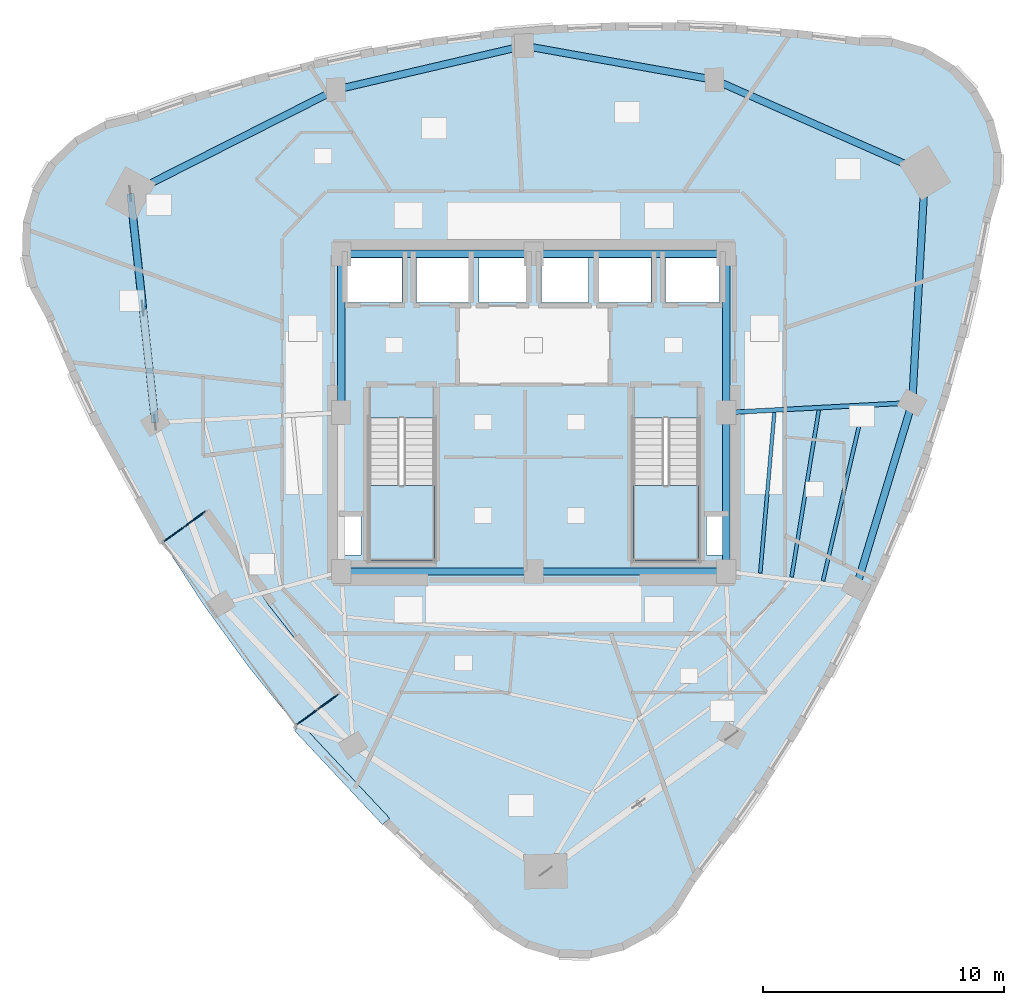
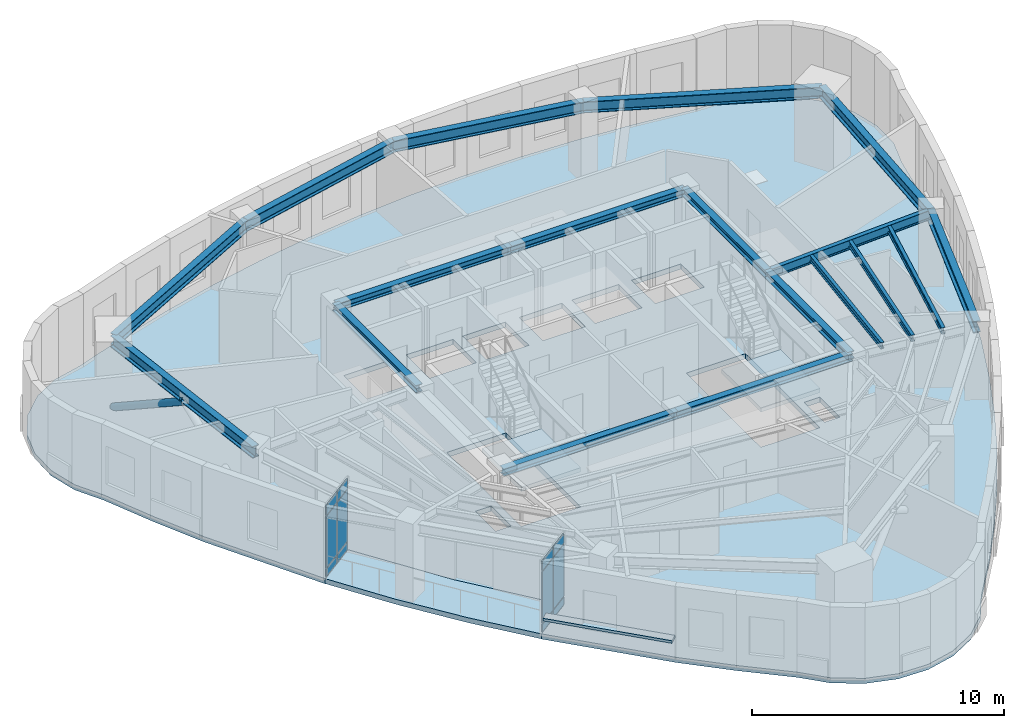
# One storey, part 5 of 13: 18 beams, 13 plates, 4 slabs, 1 member, 4 elements without a shape of their own.
"""IFC4 building model written with IfcOpenShell, lengths in metres."""

import ifcopenshell
import ifcopenshell.guid

model = None  # the IFC model being written
_history = None  # IfcOwnerHistory: only IFC2X3 demands one
_inside = {}  # id of a spatial element -> (the spatial element, [elements in it])
_under = {}  # id of a project, library or spatial element -> (it, [spatial elements below it])
_declared = {}  # id of a project -> (the project, [libraries it declares])
_typed = {}  # id of a type object -> (the type object, [elements of that type])
_made_of = {}  # id of a material, layer set ... -> (it, [elements and type objects made of it])


def new_model(schema):
    """Start an empty IFC model of exactly this schema.

    Asked for "IFC4X3", IfcOpenShell would pick the latest addendum, in which some entities
    have other attributes; the version numbers below select the first issue.
    IFC2X3 requires an IfcOwnerHistory on every rooted entity: one is made here for all.
    """
    global model, _history
    if schema == "IFC4X3":
        model = ifcopenshell.file(schema_version=(4, 3, 0, 0))
    else:
        model = ifcopenshell.file(schema=schema)
    _inside.clear()
    _under.clear()
    _declared.clear()
    _typed.clear()
    _made_of.clear()
    _history = None
    if model.schema == "IFC2X3":
        org = make("IfcOrganization", Name="unknown")
        user = make(
            "IfcPersonAndOrganization",
            ThePerson=make("IfcPerson", FamilyName="unknown"),
            TheOrganization=org,
        )
        app = make(
            "IfcApplication",
            ApplicationDeveloper=org,
            Version="unknown",
            ApplicationFullName="unknown",
            ApplicationIdentifier="unknown",
        )
        _history = make(
            "IfcOwnerHistory",
            OwningUser=user,
            OwningApplication=app,
            ChangeAction="ADDED",
            CreationDate=0,
        )
    return model


def make(cls, **values):
    """One entity of the class cls with the attributes given. An attribute that is None is left unset."""
    return model.create_entity(
        cls, **{name: value for name, value in values.items() if value is not None}
    )


def rooted(cls, **values):
    """An entity with a GlobalId (a new one), such as an element, a storey or a relation."""
    return make(cls, GlobalId=ifcopenshell.guid.new(), OwnerHistory=_history, **values)


def si_unit(unit_type, name, prefix=None):
    """IfcSIUnit, for example si_unit("LENGTHUNIT", "METRE", prefix="MILLI")."""
    return make("IfcSIUnit", UnitType=unit_type, Prefix=prefix, Name=name)


def assignment(units):
    """IfcUnitAssignment: the units of a project."""
    return None if units is None else make("IfcUnitAssignment", Units=units)


def point(xyz):
    """IfcCartesianPoint."""
    return None if xyz is None else make("IfcCartesianPoint", Coordinates=xyz)


def direction(xyz):
    """IfcDirection."""
    return None if xyz is None else make("IfcDirection", DirectionRatios=xyz)


def frame(location, z_axis=None, x_axis=None):
    """IfcAxis2Placement3D, a coordinate frame: its origin and axes. An axis left out is left unset."""
    return make(
        "IfcAxis2Placement3D",
        Location=point(location),
        Axis=direction(z_axis),
        RefDirection=direction(x_axis),
    )


def frame_2d(location, x_axis=None):
    """IfcAxis2Placement2D, a coordinate frame in the plane: its origin and x axis."""
    return make(
        "IfcAxis2Placement2D", Location=point(location), RefDirection=direction(x_axis)
    )


def origin():
    """The frame at (0, 0, 0) with its axes left unset."""
    return frame((0.0, 0.0, 0.0))


def origin_2d():
    """The frame at (0, 0) in the plane with its x axis left unset."""
    return frame_2d((0.0, 0.0))


def place(relative_to, where):
    """IfcLocalPlacement: puts the frame where relative to a parent placement (None: the world)."""
    return make(
        "IfcLocalPlacement", PlacementRelTo=relative_to, RelativePlacement=where
    )


def context(
    kind, dimensions, precision=None, world=None, true_north=None, identifier=None
):
    """IfcGeometricRepresentationContext, for example the 3D "Model" context."""
    return make(
        "IfcGeometricRepresentationContext",
        ContextIdentifier=identifier,
        ContextType=kind,
        CoordinateSpaceDimension=dimensions,
        Precision=precision,
        WorldCoordinateSystem=world,
        TrueNorth=true_north,
    )


def subcontext(parent, identifier, kind, view, scale=None):
    """IfcGeometricRepresentationSubContext, for example "Body" below "Model"."""
    return make(
        "IfcGeometricRepresentationSubContext",
        ContextIdentifier=identifier,
        ContextType=kind,
        ParentContext=parent,
        TargetScale=scale,
        TargetView=view,
    )


def project(units=None, contexts=None):
    """IfcProject with its units and contexts."""
    return rooted(
        "IfcProject",
        Name="project",
        RepresentationContexts=contexts,
        UnitsInContext=assignment(units),
    )


def spatial(cls, under=None, at=None, **own):
    """A site, building, storey or space (cls), placed at a placement, below another one or the project."""
    s = rooted(cls, ObjectPlacement=at, **own)
    if under is not None:
        _under.setdefault(under.id(), (under, []))[1].append(s)
    return s


def polyline(points):
    """IfcPolyline through the points."""
    return make("IfcPolyline", Points=[point(p) for p in points])


def profile(cls, at=None, kind="AREA", **sizes):
    """A parametric profile (cls). Its sizes go by their IFC names, for example OverallWidth=200.0."""
    return make(cls, ProfileType=kind, Position=at, **sizes)


def rectangle(**sizes):
    """IfcRectangleProfileDef."""
    return profile("IfcRectangleProfileDef", **sizes)


def hollow_circle(**sizes):
    """IfcCircleHollowProfileDef."""
    return profile("IfcCircleHollowProfileDef", **sizes)


def i_section(**sizes):
    """IfcIShapeProfileDef."""
    return profile("IfcIShapeProfileDef", **sizes)


def outline(outer, holes=None, kind="AREA"):
    """IfcArbitraryClosedProfileDef: a profile drawn as a closed curve; with holes, ...WithVoids."""
    if holes is None:
        return make("IfcArbitraryClosedProfileDef", ProfileType=kind, OuterCurve=outer)
    return make(
        "IfcArbitraryProfileDefWithVoids",
        ProfileType=kind,
        OuterCurve=outer,
        InnerCurves=holes,
    )


def extrude(swept, where, along, depth):
    """IfcExtrudedAreaSolid: the profile swept, set in the frame where, extruded along a direction by depth."""
    return make(
        "IfcExtrudedAreaSolid",
        SweptArea=swept,
        Position=where,
        ExtrudedDirection=direction(along),
        Depth=depth,
    )


def shape(context_of_items, identifier, shape_type, items):
    """IfcShapeRepresentation: the items that make up one representation, for example the "Body"."""
    return make(
        "IfcShapeRepresentation",
        ContextOfItems=context_of_items,
        RepresentationIdentifier=identifier,
        RepresentationType=shape_type,
        Items=items,
    )


def material(Name=None, Category=None):
    """IfcMaterial."""
    return make("IfcMaterial", Name=Name, Category=Category)


def layer(
    of_material, thickness, ventilated=None, Name=None, Category=None, Priority=None
):
    """IfcMaterialLayer: one layer of a wall or slab, of a material (None: an air gap)."""
    return make(
        "IfcMaterialLayer",
        Material=of_material,
        LayerThickness=thickness,
        IsVentilated=ventilated,
        Name=Name,
        Category=Category,
        Priority=Priority,
    )


def layer_set(layers, Name=None):
    """IfcMaterialLayerSet."""
    return make("IfcMaterialLayerSet", MaterialLayers=layers, LayerSetName=Name)


def material_profile(
    of_material, cross_section, Name=None, Category=None, Priority=None
):
    """IfcMaterialProfile: a cross section and its material."""
    return make(
        "IfcMaterialProfile",
        Name=Name,
        Material=of_material,
        Profile=cross_section,
        Priority=Priority,
        Category=Category,
    )


def profile_set(profiles, Name=None, composite=None):
    """IfcMaterialProfileSet."""
    return make(
        "IfcMaterialProfileSet",
        Name=Name,
        MaterialProfiles=profiles,
        CompositeProfile=composite,
    )


def made_of(thing, what):
    """Note that an element or type object is made of a material, layer set ...; save() writes the relation."""
    if what is not None:
        _made_of.setdefault(what.id(), (what, []))[1].append(thing)
    return thing


def type_object(cls, material=None, **own):
    """A type object (cls), such as IfcWallType, which elements share."""
    return made_of(rooted(cls, **own), material)


def element(
    cls,
    number,
    at=None,
    inside=None,
    cuts=None,
    type_object=None,
    material=None,
    context=None,
    identifier="Body",
    shape_type=None,
    held_by="IfcProductDefinitionShape",
    body=None,
    shapes=None,
    **own,
):
    """One element of the class cls, such as IfcWall. Its Tag is "e" and its number.

    at: its placement. inside: the storey or other place that contains it. cuts: it is an
    opening in that element (IfcRelVoidsElement). A single representation is given by context,
    identifier, shape_type and body (its items); several are given by shapes. held_by: the class
    of the entity that holds the representations. save() writes the other relations.
    """
    e = rooted(cls, Tag="e%d" % number, ObjectPlacement=at, **own)
    if body is not None:
        shapes = [shape(context, identifier, shape_type, body)]
    if shapes is not None:
        e.Representation = make(held_by, Representations=shapes)
    if inside is not None:
        _inside.setdefault(inside.id(), (inside, []))[1].append(e)
    if cuts is not None:
        rooted(
            "IfcRelVoidsElement", RelatingBuildingElement=cuts, RelatedOpeningElement=e
        )
    if type_object is not None:
        _typed.setdefault(type_object.id(), (type_object, []))[1].append(e)
    return made_of(e, material)


def aggregate(whole, parts):
    """IfcRelAggregates: a whole, such as a stair, and the parts it consists of."""
    return rooted("IfcRelAggregates", RelatingObject=whole, RelatedObjects=parts)


def save(model, path):
    """Write the relations noted so far, then the file.

    IfcRelAggregates (storeys below a building ...), IfcRelContainedInSpatialStructure (elements
    in a storey), IfcRelDefinesByType, IfcRelAssociatesMaterial and IfcRelDeclares: one each for
    every whole, place, type object, material and project.
    """
    for whole, parts in _under.values():
        aggregate(whole, parts)
    for where, things in _inside.values():
        rooted(
            "IfcRelContainedInSpatialStructure",
            RelatedElements=things,
            RelatingStructure=where,
        )
    for kind, things in _typed.values():
        rooted("IfcRelDefinesByType", RelatedObjects=things, RelatingType=kind)
    for what, things in _made_of.values():
        rooted("IfcRelAssociatesMaterial", RelatedObjects=things, RelatingMaterial=what)
    for by, libraries in _declared.values():
        rooted("IfcRelDeclares", RelatingContext=by, RelatedDefinitions=libraries)
    model.write(path)


model = new_model("IFC4")

# Units and contexts
model_context = context("Model", 3, precision=1e-05, world=origin(), true_north=direction((0.0, 1.0)))
body_context = subcontext(model_context, "Body", "Model", "MODEL_VIEW")
ifc_project = project(units=[si_unit("LENGTHUNIT", "METRE"), si_unit("AREAUNIT", "SQUARE_METRE"), si_unit("VOLUMEUNIT", "CUBIC_METRE"), si_unit("PLANEANGLEUNIT", "RADIAN"), si_unit("MASSUNIT", "GRAM", prefix="KILO")], contexts=[model_context])

# Site, building, storey
site_placement = place(None, origin())
site = spatial("IfcSite", under=ifc_project, at=site_placement, CompositionType="ELEMENT")
building_placement = place(site_placement, origin())
building = spatial("IfcBuilding", under=site, at=building_placement, Name="Ndelora Gate Hotel", CompositionType="ELEMENT")
storey_placement = place(building_placement, frame((0.0, 0.0, 235.949951171875)))
storey = spatial("IfcBuildingStorey", under=building, at=storey_placement, Name="L59", CompositionType="ELEMENT", Elevation=235.949951171875)

# Beams
ifc_material_1 = material(Name="Steel S355", Category="steel")
ifc_material_profile_1 = material_profile(ifc_material_1, i_section(OverallWidth=0.300048828125, OverallDepth=0.35009765625, WebThickness=0.010009765625, FlangeThickness=0.017578125, FilletRadius=0.027099609375, at=origin_2d()), Name="HEA 360")
ifc_profile_set_1 = profile_set([ifc_material_profile_1], Name="Steel S355")
beam_type_1 = type_object("IfcBeamType", Name="BM-CORE-350", PredefinedType="BEAM", material=ifc_profile_set_1)
for number, where, z_axis, x_axis, name in (
    (1, (-8.0, 6.60009765625, 3.375), (1.0, 0.0, 0.0), (0.0, 1.0, 0.0), "L59 Core Tie Girder CC7-CC6"),
    (2, (0.0, 6.60009765625, 3.375), (1.0, 0.0, 0.0), (0.0, 1.0, 0.0), "L59 Core Tie Girder CC6-CC5"),
):
    element("IfcBeam", number, at=place(storey_placement, frame(where, z_axis=z_axis, x_axis=x_axis)), inside=storey, type_object=beam_type_1, Name=name, PredefinedType="BEAM", context=body_context, shape_type="SweptSolid", body=[
        extrude(i_section(OverallWidth=0.300048828125, OverallDepth=0.35009765625, WebThickness=0.010009765625, FlangeThickness=0.017578125, FilletRadius=0.027099609375, at=origin_2d()), origin(), (0.0, 0.0, 1.0), 8.0),
    ])
for number, where, z_axis, x_axis, name in (
    (3, (-8.0, 0.0, 3.375), (0.0, 1.0, 0.0), (-1.0, 0.0, 0.0), "L59 Core Tie Girder CC8-CC7"),
    (4, (8.0, -6.60009765625, 3.375), (0.0, 1.0, 0.0), (-1.0, 0.0, 0.0), "L59 Core Tie Girder CC3-CC4"),
    (5, (8.0, 0.0, 3.375), (0.0, 1.0, 0.0), (-1.0, 0.0, 0.0), "L59 Core Tie Girder CC4-CC5"),
):
    element("IfcBeam", number, at=place(storey_placement, frame(where, z_axis=z_axis, x_axis=x_axis)), inside=storey, type_object=beam_type_1, Name=name, PredefinedType="BEAM", context=body_context, shape_type="SweptSolid", body=[
        extrude(i_section(OverallWidth=0.300048828125, OverallDepth=0.35009765625, WebThickness=0.010009765625, FlangeThickness=0.017578125, FilletRadius=0.027099609375, at=origin_2d()), origin(), (0.0, 0.0, 1.0), 6.60009765625),
    ])
for number, where, z_axis, x_axis, name in (
    (6, (-8.0, -6.60009765625, 3.375), (1.0, 0.0, 0.0), (0.0, 1.0, 0.0), "L59 Core Tie Girder CC1-CC2"),
    (7, (0.0, -6.60009765625, 3.375), (1.0, 0.0, 0.0), (0.0, 1.0, 0.0), "L59 Core Tie Girder CC2-CC3"),
):
    element("IfcBeam", number, at=place(storey_placement, frame(where, z_axis=z_axis, x_axis=x_axis)), inside=storey, type_object=beam_type_1, Name=name, PredefinedType="BEAM", context=body_context, shape_type="SweptSolid", body=[
        extrude(i_section(OverallWidth=0.300048828125, OverallDepth=0.35009765625, WebThickness=0.010009765625, FlangeThickness=0.017578125, FilletRadius=0.027099609375, at=origin_2d()), origin(), (0.0, 0.0, 1.0), 8.0),
    ])
ifc_material_profile_2 = material_profile(ifc_material_1, i_section(OverallWidth=0.14990234375, OverallDepth=0.300048828125, WebThickness=0.007080078125, FlangeThickness=0.0107421875, FilletRadius=0.014892578125, at=origin_2d()), Name="IPE 300")
ifc_profile_set_2 = profile_set([ifc_material_profile_2], Name="Steel S355")
beam_type_2 = type_object("IfcBeamType", Name="BM-JST-300", PredefinedType="JOIST", material=ifc_profile_set_2)
beam_1_placement = place(storey_placement, frame((9.413330078125, -6.671142578125, 3.400146484375), z_axis=(0.087643872384, 0.996151871771, 0.0), x_axis=(-0.996151871771, 0.087643872384, 0.0)))
element("IfcBeam", 8, at=beam_1_placement, inside=storey, type_object=beam_type_2, Name="L59 Secondary Composite Floor Joist IN-7", PredefinedType="JOIST", context=body_context, shape_type="SweptSolid", body=[
    extrude(i_section(OverallWidth=0.14990234375, OverallDepth=0.300048828125, WebThickness=0.007080078125, FlangeThickness=0.0107421875, FilletRadius=0.014892578125, at=origin_2d()), origin(), (0.0, 0.0, 1.0), 6.699462890625),
])
beam_2_placement = place(storey_placement, frame((10.717041015625, -6.834228515625, 3.400146484375), z_axis=(0.160939239626, 0.986964316046, 0.0), x_axis=(-0.986964316046, 0.160939239626, 0.0)))
element("IfcBeam", 9, at=beam_2_placement, inside=storey, type_object=beam_type_2, Name="L59 Secondary Composite Floor Joist MID-7", PredefinedType="JOIST", context=body_context, shape_type="SweptSolid", body=[
    extrude(i_section(OverallWidth=0.14990234375, OverallDepth=0.300048828125, WebThickness=0.007080078125, FlangeThickness=0.0107421875, FilletRadius=0.014892578125, at=origin_2d()), origin(), (0.0, 0.0, 1.0), 7.028076171875),
])
beam_3_placement = place(storey_placement, frame((12.02001953125, -6.997802734375, 3.400146484375), z_axis=(0.22674518397, 0.973954116756, 0.0), x_axis=(-0.973954116756, 0.22674518397, 0.0)))
element("IfcBeam", 10, at=beam_3_placement, inside=storey, type_object=beam_type_2, Name="L59 Secondary Composite Floor Joist OUT-7", PredefinedType="JOIST", context=body_context, shape_type="SweptSolid", body=[
    extrude(i_section(OverallWidth=0.14990234375, OverallDepth=0.300048828125, WebThickness=0.007080078125, FlangeThickness=0.0107421875, FilletRadius=0.014892578125, at=origin_2d()), origin(), (0.0, 0.0, 1.0), 7.392822265625),
])
ifc_material_profile_3 = material_profile(ifc_material_1, i_section(OverallWidth=0.18994140625, OverallDepth=0.449951171875, WebThickness=0.009521484375, FlangeThickness=0.0146484375, FilletRadius=0.02099609375, at=origin_2d()), Name="IPE 450")
ifc_profile_set_3 = profile_set([ifc_material_profile_3], Name="Steel S355")
beam_type_3 = type_object("IfcBeamType", Name="BM-RAD-450", PredefinedType="BEAM", material=ifc_profile_set_3)
beam_4_placement = place(storey_placement, frame((8.0, 0.0, 3.324951171875), z_axis=(0.998583554121, 0.053206065814, 0.0), x_axis=(-0.053206065814, 0.998583554121, 0.0)))
element("IfcBeam", 11, at=beam_4_placement, inside=storey, type_object=beam_type_3, Name="L59 Radial Floor Girder 8", PredefinedType="BEAM", context=body_context, shape_type="SweptSolid", body=[
    extrude(i_section(OverallWidth=0.18994140625, OverallDepth=0.449951171875, WebThickness=0.009521484375, FlangeThickness=0.0146484375, FilletRadius=0.02099609375, at=origin_2d()), origin(), (0.0, 0.0, 1.0), 7.740966796875),
])
ifc_material_profile_4 = material_profile(ifc_material_1, i_section(OverallWidth=0.300048828125, OverallDepth=0.550048828125, WebThickness=0.014892578125, FlangeThickness=0.029052734375, FilletRadius=0.027099609375, at=origin_2d()), Name="HEB 550")
ifc_profile_set_4 = profile_set([ifc_material_profile_4], Name="Steel S355")
beam_type_4 = type_object("IfcBeamType", Name="BM-RING-550", PredefinedType="SPANDREL", material=ifc_profile_set_4)
beam_5_placement = place(storey_placement, frame((-16.759521484375, 9.099609375, 3.275146484375), z_axis=(0.107613416645, -0.994192814578, 0.0), x_axis=(0.994192814578, 0.107613416645, 0.0)))
element("IfcBeam", 12, at=beam_5_placement, inside=storey, type_object=beam_type_4, Name="L59 Perimeter Spandrel Girder 1", PredefinedType="SPANDREL", context=body_context, shape_type="SweptSolid", body=[
    extrude(i_section(OverallWidth=0.300048828125, OverallDepth=0.550048828125, WebThickness=0.014892578125, FlangeThickness=0.029052734375, FilletRadius=0.027099609375, at=origin_2d()), origin(), (0.0, 0.0, 1.0), 9.567138671875),
])
beam_6_placement = place(storey_placement, frame((13.400390625, -7.275634765625, 3.275146484375), z_axis=(0.290012456561, 0.957022870698, 0.0), x_axis=(-0.957022870698, 0.290012456561, 0.0)))
element("IfcBeam", 13, at=beam_6_placement, inside=storey, type_object=beam_type_4, Name="L59 Perimeter Spandrel Girder 7", PredefinedType="SPANDREL", context=body_context, shape_type="SweptSolid", body=[
    extrude(i_section(OverallWidth=0.300048828125, OverallDepth=0.550048828125, WebThickness=0.014892578125, FlangeThickness=0.029052734375, FilletRadius=0.027099609375, at=origin_2d()), origin(), (0.0, 0.0, 1.0), 8.03271484375),
])
beam_7_placement = place(storey_placement, frame((15.72998046875, 0.411865234375, 3.275146484375), z_axis=(0.055426206248, 0.998462786318, 0.0), x_axis=(-0.998462786318, 0.055426206248, 0.0)))
element("IfcBeam", 14, at=beam_7_placement, inside=storey, type_object=beam_type_4, Name="L59 Perimeter Spandrel Girder 8", PredefinedType="SPANDREL", context=body_context, shape_type="SweptSolid", body=[
    extrude(i_section(OverallWidth=0.300048828125, OverallDepth=0.550048828125, WebThickness=0.014892578125, FlangeThickness=0.029052734375, FilletRadius=0.027099609375, at=origin_2d()), origin(), (0.0, 0.0, 1.0), 9.567138671875),
])
beam_8_placement = place(storey_placement, frame((16.26025390625, 9.96435546875, 3.275146484375), z_axis=(-0.914807449647, 0.403890245078, 0.0), x_axis=(-0.403890245078, -0.914807449647, 0.0)))
element("IfcBeam", 15, at=beam_8_placement, inside=storey, type_object=beam_type_4, Name="L59 Perimeter Spandrel Girder 9", PredefinedType="SPANDREL", context=body_context, shape_type="SweptSolid", body=[
    extrude(i_section(OverallWidth=0.300048828125, OverallDepth=0.550048828125, WebThickness=0.014892578125, FlangeThickness=0.029052734375, FilletRadius=0.027099609375, at=origin_2d()), origin(), (0.0, 0.0, 1.0), 9.56689453125),
])
for number, where, z_axis, x_axis, name in (
    (16, (7.50830078125, 13.828369140625, 3.275146484375), (-0.984373619655, 0.176092523767, 0.0), (-0.176092523767, -0.984373619655, 0.0), "L59 Perimeter Spandrel Girder 10"),
    (17, (-0.399169921875, 15.242919921875, 3.275146484375), (-0.973809142107, -0.227367004529, 0.0), (0.227367004529, -0.973809142107, 0.0), "L59 Perimeter Spandrel Girder 11"),
):
    element("IfcBeam", number, at=place(storey_placement, frame(where, z_axis=z_axis, x_axis=x_axis)), inside=storey, type_object=beam_type_4, Name=name, PredefinedType="SPANDREL", context=body_context, shape_type="SweptSolid", body=[
        extrude(i_section(OverallWidth=0.300048828125, OverallDepth=0.550048828125, WebThickness=0.014892578125, FlangeThickness=0.029052734375, FilletRadius=0.027099609375, at=origin_2d()), origin(), (0.0, 0.0, 1.0), 8.032958984375),
    ])
beam_9_placement = place(storey_placement, frame((-8.2216796875, 13.41650390625, 3.275146484375), z_axis=(-0.89241242978, -0.451220628045, 0.0), x_axis=(0.451220628045, -0.89241242978, 0.0)))
element("IfcBeam", 18, at=beam_9_placement, inside=storey, type_object=beam_type_4, Name="L59 Perimeter Spandrel Girder 12", PredefinedType="SPANDREL", context=body_context, shape_type="SweptSolid", body=[
    extrude(i_section(OverallWidth=0.300048828125, OverallDepth=0.550048828125, WebThickness=0.014892578125, FlangeThickness=0.029052734375, FilletRadius=0.027099609375, at=origin_2d()), origin(), (0.0, 0.0, 1.0), 9.567138671875),
])

# Member
ifc_material_profile_5 = material_profile(ifc_material_1, hollow_circle(Radius=0.161865234375, WallThickness=0.01611328125, at=origin_2d()), Name="CHS 323.9x16")
ifc_profile_set_5 = profile_set([ifc_material_profile_5], Name="Steel S355")
member_type = type_object("IfcMemberType", Name="MB-TUBE-324", PredefinedType="BRACE", material=ifc_profile_set_5)
member_placement = place(storey_placement, frame((-16.759521484375, 9.099609375, 0.02001953125), z_axis=(0.091362436506, -0.843835419962, 0.528767140821), x_axis=(0.994189788356, 0.107641370894, 0.0)))
element("IfcMember", 19, at=member_placement, inside=storey, type_object=member_type, Name="L59 Perimeter Braced-Tube Diagonal 1A", PredefinedType="BRACE", context=body_context, shape_type="SweptSolid", body=[
    extrude(hollow_circle(Radius=0.161865234375, WallThickness=0.01611328125, at=origin_2d()), origin(), (0.0, 0.0, 1.0), 5.6357421875),
])

# Curtain wall, plates
ifc_material_2 = material(Name="Bronze Anodised Unitised Aluminium and Low-E Glass", Category="aluminium")
ifc_layer_1 = layer(ifc_material_2, 0.199951171875)
ifc_layer_set_1 = layer_set([ifc_layer_1], Name="Bronze Anodised Unitised Aluminium and Low-E Glass")
curtain_wall_type = type_object("IfcCurtainWallType", Name="CW-SYS-3", PredefinedType="NOTDEFINED", material=ifc_layer_set_1)
curtain_wall_1_placement = place(storey_placement, origin())
curtain_wall_1 = element("IfcCurtainWall", 20, at=curtain_wall_1_placement, inside=storey, type_object=curtain_wall_type, Name="L59 Sky-Garden Loggia Side Curtain Wall CW3-1", PredefinedType="NOTDEFINED")
ifc_material_3 = material(Name="Solar-Control Low-E Insulated Glazing", Category="glass")
ifc_layer_2 = layer(ifc_material_3, 0.048095703125)
ifc_layer_set_2 = layer_set([ifc_layer_2], Name="Solar-Control Low-E Insulated Glazing")
plate_type_1 = type_object("IfcPlateType", Name="PL-CW-GLZ36", PredefinedType="CURTAIN_PANEL", material=ifc_layer_set_2)
plate_1_placement = place(storey_placement, frame((-14.085693359375, -4.42431640625, 0.05908203125), z_axis=(0.0, 0.0, 1.0), x_axis=(-0.809017078969, -0.587785135859, 0.0)))
plate_1 = element("IfcPlate", 21, at=plate_1_placement, type_object=plate_type_1, Name="CW3 panel 1.1", PredefinedType="CURTAIN_PANEL", context=body_context, shape_type="SweptSolid", body=[
    extrude(rectangle(XDim=1.014404296875, YDim=0.048095703125, at=origin_2d()), origin(), (0.0, 0.0, 1.0), 0.364501953125),
])
plate_2_placement = place(storey_placement, frame((-14.085693359375, -4.42431640625, 0.4765625), z_axis=(0.0, 0.0, 1.0), x_axis=(-0.809017078969, -0.587785135859, 0.0)))
plate_2 = element("IfcPlate", 22, at=plate_2_placement, type_object=plate_type_1, Name="CW3 panel 1.2", PredefinedType="CURTAIN_PANEL", context=body_context, shape_type="SweptSolid", body=[
    extrude(rectangle(XDim=1.014404296875, YDim=0.048095703125, at=origin_2d()), origin(), (0.0, 0.0, 1.0), 2.4970703125),
])
plate_3_placement = place(storey_placement, frame((-14.085693359375, -4.42431640625, 3.0263671875), z_axis=(0.0, 0.0, 1.0), x_axis=(-0.809017078969, -0.587785135859, 0.0)))
plate_3 = element("IfcPlate", 23, at=plate_3_placement, type_object=plate_type_1, Name="CW3 panel 1.3", PredefinedType="CURTAIN_PANEL", context=body_context, shape_type="SweptSolid", body=[
    extrude(rectangle(XDim=1.014404296875, YDim=0.048095703125, at=origin_2d()), origin(), (0.0, 0.0, 1.0), 0.464599609375),
])
plate_4_placement = place(storey_placement, frame((-14.94921875, -5.0517578125, 0.05908203125), z_axis=(0.0, 0.0, 1.0), x_axis=(-0.809017078969, -0.587785135859, 0.0)))
plate_4 = element("IfcPlate", 24, at=plate_4_placement, type_object=plate_type_1, Name="CW3 panel 2.1", PredefinedType="CURTAIN_PANEL", context=body_context, shape_type="SweptSolid", body=[
    extrude(rectangle(XDim=1.014404296875, YDim=0.048095703125, at=origin_2d()), origin(), (0.0, 0.0, 1.0), 0.364501953125),
])
plate_5_placement = place(storey_placement, frame((-14.94921875, -5.0517578125, 0.4765625), z_axis=(0.0, 0.0, 1.0), x_axis=(-0.809017078969, -0.587785135859, 0.0)))
plate_5 = element("IfcPlate", 25, at=plate_5_placement, type_object=plate_type_1, Name="CW3 panel 2.2", PredefinedType="CURTAIN_PANEL", context=body_context, shape_type="SweptSolid", body=[
    extrude(rectangle(XDim=1.014404296875, YDim=0.048095703125, at=origin_2d()), origin(), (0.0, 0.0, 1.0), 2.4970703125),
])
plate_6_placement = place(storey_placement, frame((-14.94921875, -5.0517578125, 3.0263671875), z_axis=(0.0, 0.0, 1.0), x_axis=(-0.809017078969, -0.587785135859, 0.0)))
plate_6 = element("IfcPlate", 26, at=plate_6_placement, type_object=plate_type_1, Name="CW3 panel 2.3", PredefinedType="CURTAIN_PANEL", context=body_context, shape_type="SweptSolid", body=[
    extrude(rectangle(XDim=1.014404296875, YDim=0.048095703125, at=origin_2d()), origin(), (0.0, 0.0, 1.0), 0.464599609375),
])
aggregate(curtain_wall_1, [plate_1, plate_2, plate_3, plate_4, plate_5, plate_6])

curtain_wall_2_placement = place(storey_placement, origin())
curtain_wall_2 = element("IfcCurtainWall", 27, at=curtain_wall_2_placement, inside=storey, type_object=curtain_wall_type, Name="L59 Sky-Garden Loggia Side Curtain Wall CW3-2", PredefinedType="NOTDEFINED")
plate_7_placement = place(storey_placement, frame((-9.424072265625, -12.656494140625, 0.05908203125), z_axis=(0.0, 0.0, 1.0), x_axis=(0.809032782583, 0.587763521074, 0.0)))
plate_7 = element("IfcPlate", 28, at=plate_7_placement, type_object=plate_type_1, Name="CW3 panel 1.1", PredefinedType="CURTAIN_PANEL", context=body_context, shape_type="SweptSolid", body=[
    extrude(rectangle(XDim=1.014404296875, YDim=0.048095703125, at=origin_2d()), origin(), (0.0, 0.0, 1.0), 0.364501953125),
])
plate_8_placement = place(storey_placement, frame((-9.424072265625, -12.656494140625, 0.4765625), z_axis=(0.0, 0.0, 1.0), x_axis=(0.809032782583, 0.587763521074, 0.0)))
plate_8 = element("IfcPlate", 29, at=plate_8_placement, type_object=plate_type_1, Name="CW3 panel 1.2", PredefinedType="CURTAIN_PANEL", context=body_context, shape_type="SweptSolid", body=[
    extrude(rectangle(XDim=1.014404296875, YDim=0.048095703125, at=origin_2d()), origin(), (0.0, 0.0, 1.0), 2.4970703125),
])
plate_9_placement = place(storey_placement, frame((-9.424072265625, -12.656494140625, 3.0263671875), z_axis=(0.0, 0.0, 1.0), x_axis=(0.809032782583, 0.587763521074, 0.0)))
plate_9 = element("IfcPlate", 30, at=plate_9_placement, type_object=plate_type_1, Name="CW3 panel 1.3", PredefinedType="CURTAIN_PANEL", context=body_context, shape_type="SweptSolid", body=[
    extrude(rectangle(XDim=1.014404296875, YDim=0.048095703125, at=origin_2d()), origin(), (0.0, 0.0, 1.0), 0.464599609375),
])
plate_10_placement = place(storey_placement, frame((-8.560546875, -12.029052734375, 0.05908203125), z_axis=(0.0, 0.0, 1.0), x_axis=(0.809032782583, 0.587763521074, 0.0)))
plate_10 = element("IfcPlate", 31, at=plate_10_placement, type_object=plate_type_1, Name="CW3 panel 2.1", PredefinedType="CURTAIN_PANEL", context=body_context, shape_type="SweptSolid", body=[
    extrude(rectangle(XDim=1.014404296875, YDim=0.048095703125, at=origin_2d()), origin(), (0.0, 0.0, 1.0), 0.364501953125),
])
plate_11_placement = place(storey_placement, frame((-8.560546875, -12.029052734375, 0.4765625), z_axis=(0.0, 0.0, 1.0), x_axis=(0.809032782583, 0.587763521074, 0.0)))
plate_11 = element("IfcPlate", 32, at=plate_11_placement, type_object=plate_type_1, Name="CW3 panel 2.2", PredefinedType="CURTAIN_PANEL", context=body_context, shape_type="SweptSolid", body=[
    extrude(rectangle(XDim=1.014404296875, YDim=0.048095703125, at=origin_2d()), origin(), (0.0, 0.0, 1.0), 2.4970703125),
])
plate_12_placement = place(storey_placement, frame((-8.560546875, -12.029052734375, 3.0263671875), z_axis=(0.0, 0.0, 1.0), x_axis=(0.809032782583, 0.587763521074, 0.0)))
plate_12 = element("IfcPlate", 33, at=plate_12_placement, type_object=plate_type_1, Name="CW3 panel 2.3", PredefinedType="CURTAIN_PANEL", context=body_context, shape_type="SweptSolid", body=[
    extrude(rectangle(XDim=1.014404296875, YDim=0.048095703125, at=origin_2d()), origin(), (0.0, 0.0, 1.0), 0.464599609375),
])
aggregate(curtain_wall_2, [plate_7, plate_8, plate_9, plate_10, plate_11, plate_12])

# Plate
ifc_material_4 = material(Name="Precast concrete C40/50", Category="concrete")
ifc_layer_3 = layer(ifc_material_4, 0.125)
ifc_layer_set_3 = layer_set([ifc_layer_3], Name="Precast concrete C40/50")
plate_type_2 = type_object("IfcPlateType", Name="PL-SILL-120", PredefinedType="USERDEFINED", material=ifc_layer_set_3)
plate_13_placement = place(storey_placement, frame((-7.96630859375, -15.035888671875, 0.78759765625), z_axis=(0.0, 0.0, 1.0), x_axis=(-0.683401200631, 0.73004301173, 0.0)))
element("IfcPlate", 34, at=plate_13_placement, inside=storey, type_object=plate_type_2, Name="L59 Streamline Precast Ribbon Sill 16", ObjectType="RIBBON_SILL", PredefinedType="USERDEFINED", context=body_context, shape_type="SweptSolid", body=[
    extrude(rectangle(XDim=5.35693359375, YDim=0.39990234375, at=origin_2d()), origin(), (0.0, 0.0, 1.0), 0.125),
])

# Stair, slab
stair_type = type_object("IfcStairType", Name="STR-DOG-CORE", PredefinedType="HALF_TURN_STAIR", material=ifc_material_4)
stair_1_placement = place(storey_placement, origin())
stair_1 = element("IfcStair", 35, at=stair_1_placement, inside=storey, type_object=stair_type, Name="L59 Protected Core Exit Stair ST4", PredefinedType="HALF_TURN_STAIR")
ifc_layer_4 = layer(ifc_material_4, 0.219970703125)
ifc_layer_set_4 = layer_set([ifc_layer_4], Name="Precast concrete C40/50")
slab_type_1 = type_object("IfcSlabType", Name="SL-LAND-220", PredefinedType="LANDING", material=ifc_layer_set_4)
slab_1_placement = place(storey_placement, frame((0.0, 0.0, 1.699951171875)))
slab_1 = element("IfcSlab", 36, at=slab_1_placement, type_object=slab_type_1, Name="ST4 landing 1", PredefinedType="LANDING", context=body_context, shape_type="SweptSolid", body=[
    extrude(outline(polyline([(-6.85009765625, -3.030029296875), (-6.85009765625, -6.14990234375), (-4.1298828125, -6.14990234375), (-4.1298828125, -3.030029296875), (-6.85009765625, -3.030029296875)])), origin(), (0.0, 0.0, 1.0), 0.2001953125),
])
aggregate(stair_1, [slab_1])

stair_2_placement = place(storey_placement, origin())
stair_2 = element("IfcStair", 37, at=stair_2_placement, inside=storey, type_object=stair_type, Name="L59 Protected Core Exit Stair ST5", PredefinedType="HALF_TURN_STAIR")
slab_2_placement = place(storey_placement, frame((0.0, 0.0, 1.699951171875)))
slab_2 = element("IfcSlab", 38, at=slab_2_placement, type_object=slab_type_1, Name="ST5 landing 1", PredefinedType="LANDING", context=body_context, shape_type="SweptSolid", body=[
    extrude(outline(polyline([(4.1298828125, -3.030029296875), (4.1298828125, -6.14990234375), (6.85009765625, -6.14990234375), (6.85009765625, -3.030029296875), (4.1298828125, -3.030029296875)])), origin(), (0.0, 0.0, 1.0), 0.2001953125),
])
aggregate(stair_2, [slab_2])

# Slabs
ifc_layer_5 = layer(ifc_material_4, 0.239990234375)
ifc_layer_set_5 = layer_set([ifc_layer_5], Name="Precast concrete C40/50")
slab_type_2 = type_object("IfcSlabType", Name="SL-TER-240", PredefinedType="FLOOR", material=ifc_layer_set_5)
slab_3_placement = place(storey_placement, frame((0.0, 0.0, -0.239990234375)))
element("IfcSlab", 39, at=slab_3_placement, inside=storey, type_object=slab_type_2, Name="L59 Sky Garden Loggia Terrace Slab", PredefinedType="FLOOR", context=body_context, shape_type="SweptSolid", body=[
    extrude(outline(polyline([(-13.627685546875, -4.091552734375), (-15.407470703125, -5.384521484375), (-13.716064453125, -7.989990234375), (-11.83740234375, -10.57568359375), (-9.88232421875, -12.989501953125), (-8.102294921875, -11.6962890625), (-11.01416015625, -8.002197265625), (-13.627685546875, -4.091552734375)])), origin(), (0.0, 0.0, 1.0), 0.239990234375),
])
ifc_material_5 = material(Name="Concrete C40/50", Category="concrete")
ifc_layer_6 = layer(ifc_material_5, 0.25)
ifc_layer_set_6 = layer_set([ifc_layer_6], Name="Concrete C40/50")
slab_type_3 = type_object("IfcSlabType", Name="SL-TWR-250", PredefinedType="FLOOR", material=ifc_layer_set_6)
slab_4_placement = place(storey_placement, frame((0.0, 0.0, -0.25)))
element("IfcSlab", 40, at=slab_4_placement, inside=storey, type_object=slab_type_3, Name="L59 Structural Floor Slab", PredefinedType="FLOOR", context=body_context, shape_type="SweptSolid", body=[
    extrude(outline(polyline([(-16.465087890625, 12.26025390625), (-17.784912109375, 11.943359375), (-18.97802734375, 11.295654296875), (-19.962646484375, 10.361083984375), (-20.672119140625, 9.203857421875), (-21.0576171875, 7.902099609375), (-21.093017578125, 6.545166015625), (-20.776123046875, 5.22509765625), (-20.12841796875, 4.0322265625), (-19.16162109375, 1.749755859375), (-18.115966796875, -0.4755859375), (-15.407470703125, -5.384521484375), (-13.627685546875, -4.091552734375), (-11.01416015625, -8.002197265625), (-8.102294921875, -11.6962890625), (-9.88232421875, -12.989501953125), (-6.05029296875, -17.082275390625), (-4.257080078125, -18.764404296875), (-2.385009765625, -20.389404296875), (-1.45068359375, -21.3740234375), (-0.293212890625, -22.083251953125), (1.00830078125, -22.46875), (2.365234375, -22.50439453125), (3.685302734375, -22.1875), (4.878173828125, -21.539794921875), (5.86279296875, -20.605224609375), (6.572265625, -19.44775390625), (8.125732421875, -17.385986328125), (9.582763671875, -15.281005859375), (10.943603515625, -13.13330078125), (12.207763671875, -10.9423828125), (13.37548828125, -8.708740234375), (14.447021484375, -6.43212890625), (15.421875, -4.112548828125), (16.30029296875, -1.750244140625), (17.08251953125, 0.6552734375), (17.768310546875, 3.103515625), (18.357421875, 5.5947265625), (18.85009765625, 8.129150390625), (19.23583984375, 9.4306640625), (19.271240234375, 10.78759765625), (18.954345703125, 12.107666015625), (18.306640625, 13.300537109375), (17.372314453125, 14.28515625), (16.21484375, 14.994384765625), (14.9130859375, 15.380126953125), (13.55615234375, 15.41552734375), (10.993896484375, 15.72998046875), (8.4423828125, 15.939453125), (5.90185546875, 16.0439453125), (3.37255859375, 16.04345703125), (0.854248046875, 15.93798828125), (-1.653076171875, 15.7275390625), (-4.1494140625, 15.412109375), (-6.634521484375, 14.99169921875), (-9.108642578125, 14.46630859375), (-11.572021484375, 13.8359375), (-14.02392578125, 13.1005859375), (-16.465087890625, 12.26025390625)]), holes=[polyline([(-6.85009765625, -0.22998046875), (-6.85009765625, -6.14990234375), (-4.1298828125, -6.14990234375), (-4.1298828125, -0.22998046875), (-6.85009765625, -0.22998046875)]), polyline([(4.1298828125, -0.22998046875), (4.1298828125, -6.14990234375), (6.85009765625, -6.14990234375), (6.85009765625, -0.22998046875), (4.1298828125, -0.22998046875)]), polyline([(-7.72998046875, 4.570068359375), (-5.469970703125, 4.570068359375), (-5.469970703125, 6.429931640625), (-7.72998046875, 6.429931640625), (-7.72998046875, 4.570068359375)]), polyline([(5.469970703125, 4.570068359375), (7.72998046875, 4.570068359375), (7.72998046875, 6.429931640625), (5.469970703125, 6.429931640625), (5.469970703125, 4.570068359375)]), polyline([(-4.8798828125, 4.570068359375), (-2.719970703125, 4.570068359375), (-2.719970703125, 6.429931640625), (-4.8798828125, 6.429931640625), (-4.8798828125, 4.570068359375)]), polyline([(2.719970703125, 4.570068359375), (4.8798828125, 4.570068359375), (4.8798828125, 6.429931640625), (2.719970703125, 6.429931640625), (2.719970703125, 4.570068359375)]), polyline([(-2.280029296875, 4.570068359375), (-0.320068359375, 4.570068359375), (-0.320068359375, 6.429931640625), (-2.280029296875, 6.429931640625), (-2.280029296875, 4.570068359375)]), polyline([(0.320068359375, 4.570068359375), (2.280029296875, 4.570068359375), (2.280029296875, 6.429931640625), (0.320068359375, 6.429931640625), (0.320068359375, 4.570068359375)]), polyline([(-7.89990234375, -5.919921875), (-7.179931640625, -5.919921875), (-7.179931640625, -4.320068359375), (-7.89990234375, -4.320068359375), (-7.89990234375, -5.919921875)]), polyline([(7.179931640625, -5.919921875), (7.89990234375, -5.919921875), (7.89990234375, -4.320068359375), (7.179931640625, -4.320068359375), (7.179931640625, -5.919921875)])]), origin(), (0.0, 0.0, 1.0), 0.25),
])

save(model, "model.ifc")
